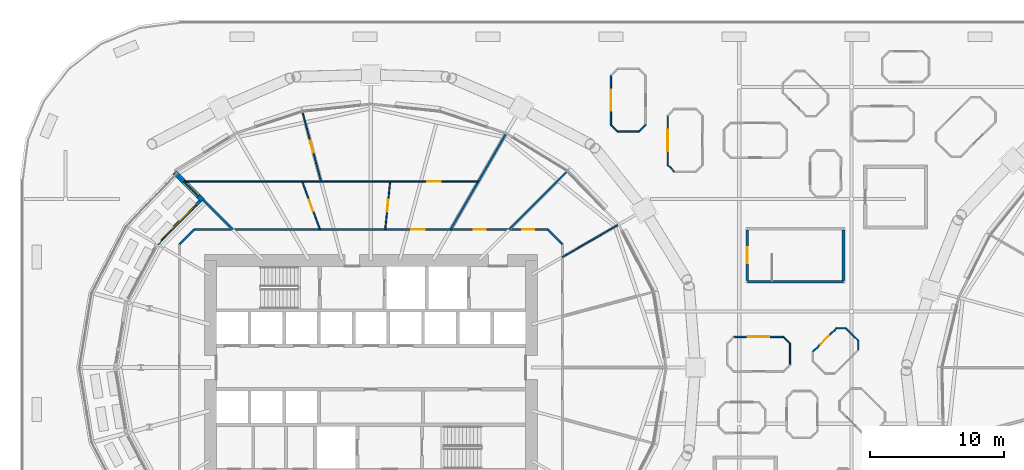
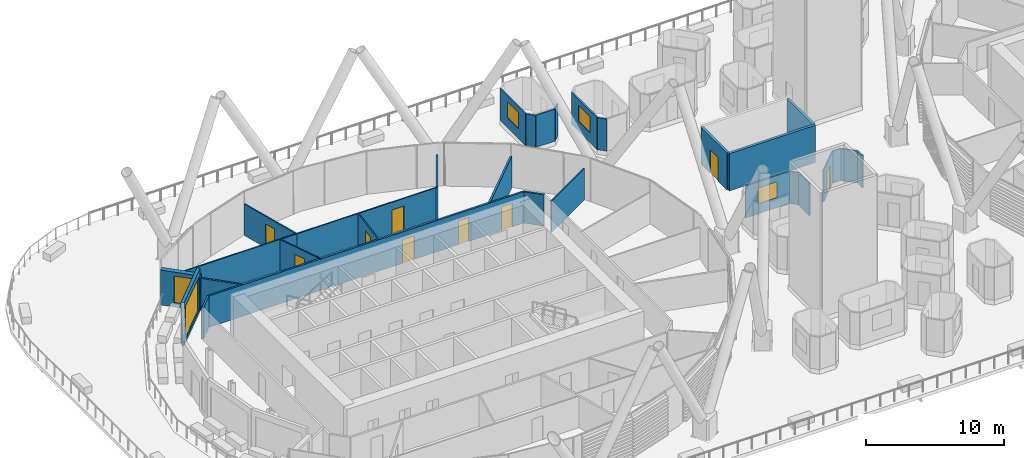
# One storey, part 28 of 47: 30 walls, 9 doors, 5 windows, 14 openings.
"""IFC4 building model written with IfcOpenShell, lengths in metres."""

from ifc_helpers import new_model, si_unit, direction, frame, frame_2d, origin, place, context, subcontext, project, spatial, rectangle, extrude, material, layer, layer_set, type_object, element, fill, save


model = new_model("IFC4")

# Units and contexts
model_context = context("Model", 3, precision=1e-05, world=origin(), true_north=direction((0.0, 1.0)))
body_context = subcontext(model_context, "Body", "Model", "MODEL_VIEW")
ifc_project = project(units=[si_unit("LENGTHUNIT", "METRE"), si_unit("AREAUNIT", "SQUARE_METRE"), si_unit("VOLUMEUNIT", "CUBIC_METRE"), si_unit("PLANEANGLEUNIT", "RADIAN"), si_unit("MASSUNIT", "GRAM", prefix="KILO")], contexts=[model_context])

# Site, building, storey
site_placement = place(None, origin())
site = spatial("IfcSite", under=ifc_project, at=site_placement, CompositionType="ELEMENT")
building_placement = place(site_placement, origin())
building = spatial("IfcBuilding", under=site, at=building_placement, Name="Rimbun Link Towers", CompositionType="ELEMENT")
storey_placement = place(building_placement, frame((0.0, 0.0, 30.0)))
storey = spatial("IfcBuildingStorey", under=building, at=storey_placement, Name="L06", CompositionType="ELEMENT", Elevation=30.0)

# Wall, opening, door
ifc_material_1 = material(Name="Terracotta-faced insulated sandwich panel", Category="masonry")
ifc_layer_1 = layer(ifc_material_1, 0.10009765625)
ifc_layer_set_1 = layer_set([ifc_layer_1], Name="CAPSULE entrance panel 100")
wall_type_1 = type_object("IfcWallType", Name="CAPSULE entrance panel 100", PredefinedType="STANDARD", material=ifc_layer_set_1)
wall_1_placement = place(storey_placement, frame((3.07080078125, 2.947021484375, 0.409912109375), z_axis=(0.0, 0.0, 1.0), x_axis=(-0.707106781187, -0.707106781187, 0.0)))
wall_1 = element("IfcWall", 1, at=wall_1_placement, inside=storey, type_object=wall_type_1, Name="CAPSULE P07 shell panel 3", PredefinedType="STANDARD", context=body_context, shape_type="SweptSolid", body=[
    extrude(rectangle(XDim=2.5, YDim=0.10009765625, at=frame_2d((1.25, 0.0))), origin(), (0.0, 0.0, 1.0), 2.85009765625),
])
opening_1_placement = place(wall_1_placement, frame((0.800048828125, 0.0, 0.0)))
opening_1 = element("IfcOpeningElement", 2, at=opening_1_placement, cuts=wall_1, Name="Opening CD06.07", PredefinedType="OPENING", context=body_context, shape_type="SweptSolid", body=[
    extrude(rectangle(XDim=0.89990234375, YDim=2.10009765625, at=frame_2d((0.449951171875, 1.050048828125))), frame((0.0, 0.06005859375, 0.0), z_axis=(0.0, -1.0, 0.0), x_axis=(1.0, 0.0, 0.0)), (0.0, 0.0, 1.0), 0.1201171875),
])
ifc_material_2 = material(Name="Aluminium framed insulated door leaf", Category="aluminium")
door_type_1 = type_object("IfcDoorType", Name="CAPSULE door single leaf 900X2100", OperationType="SINGLE_SWING_LEFT", PredefinedType="DOOR", material=ifc_material_2)
door_1_placement = place(opening_1_placement, origin())
door_1 = element("IfcDoor", 3, at=door_1_placement, inside=storey, type_object=door_type_1, Name="CAPSULE P07 door", OperationType="SINGLE_SWING_LEFT", OverallHeight=2.10009765625, OverallWidth=0.89990234375, PredefinedType="DOOR", context=body_context, shape_type="SweptSolid", body=[
    extrude(rectangle(XDim=0.89990234375, YDim=2.10009765625, at=frame_2d((0.449951171875, 1.050048828125))), frame((0.0, 0.02490234375, 0.0), z_axis=(0.0, -1.0, 0.0), x_axis=(1.0, 0.0, 0.0)), (0.0, 0.0, 1.0), 0.050048828125),
])
fill(opening_1, door_1)

# Walls
ifc_material_3 = material(Name="Terracotta-faced insulated sandwich panel", Category="masonry")
ifc_layer_2 = layer(ifc_material_3, 0.10009765625)
ifc_layer_set_2 = layer_set([ifc_layer_2], Name="CAPSULE shell panel 100")
wall_type_2 = type_object("IfcWallType", Name="CAPSULE shell panel 100", PredefinedType="STANDARD", material=ifc_layer_set_2)
wall_2_placement = place(storey_placement, frame((-0.39990234375, 0.199951171875, 0.409912109375), z_axis=(0.0, 0.0, 1.0), x_axis=(0.0, 1.0, 0.0)))
element("IfcWall", 4, at=wall_2_placement, inside=storey, type_object=wall_type_2, Name="CAPSULE P05 shell panel 1", PredefinedType="STANDARD", context=body_context, shape_type="SweptSolid", body=[
    extrude(rectangle(XDim=1.60009765625, YDim=0.10009765625, at=frame_2d((0.800048828125, 0.0))), origin(), (0.0, 0.0, 1.0), 2.85009765625),
])
wall_3_placement = place(storey_placement, frame((-0.39990234375, 1.800048828125, 0.409912109375), z_axis=(0.0, 0.0, 1.0), x_axis=(-0.707106781187, 0.707106781187, 0.0)))
element("IfcWall", 5, at=wall_3_placement, inside=storey, type_object=wall_type_2, Name="CAPSULE P05 shell panel 2", PredefinedType="STANDARD", context=body_context, shape_type="SweptSolid", body=[
    extrude(rectangle(XDim=0.70703125, YDim=0.10009765625, at=frame_2d((0.353515625, 0.0))), origin(), (0.0, 0.0, 1.0), 2.85009765625),
])

# Wall, opening, window
wall_4_placement = place(storey_placement, frame((-0.89990234375, 2.300048828125, 0.409912109375), z_axis=(0.0, 0.0, 1.0), x_axis=(-1.0, 0.0, 0.0)))
wall_4 = element("IfcWall", 6, at=wall_4_placement, inside=storey, type_object=wall_type_2, Name="CAPSULE P05 shell panel 3", PredefinedType="STANDARD", context=body_context, shape_type="SweptSolid", body=[
    extrude(rectangle(XDim=3.7001953125, YDim=0.10009765625, at=frame_2d((1.85009765625, 0.0))), origin(), (0.0, 0.0, 1.0), 2.85009765625),
])
opening_2_placement = place(wall_4_placement, frame((1.050048828125, 0.0, 0.89990234375)))
opening_2 = element("IfcOpeningElement", 7, at=opening_2_placement, cuts=wall_4, Name="Opening CN06.05", PredefinedType="OPENING", context=body_context, shape_type="SweptSolid", body=[
    extrude(rectangle(XDim=1.60009765625, YDim=1.39990234375, at=frame_2d((0.800048828125, 0.699951171875))), frame((0.0, 0.06005859375, 0.0), z_axis=(0.0, -1.0, 0.0), x_axis=(1.0, 0.0, 0.0)), (0.0, 0.0, 1.0), 0.1201171875),
])
ifc_material_4 = material(Name="Aluminium framed window, low-iron glass", Category="aluminium")
window_type_1 = type_object("IfcWindowType", Name="CAPSULE window 1600X1400", PartitioningType="SINGLE_PANEL", PredefinedType="WINDOW", material=ifc_material_4)
window_1_placement = place(opening_2_placement, origin())
window_1 = element("IfcWindow", 8, at=window_1_placement, inside=storey, type_object=window_type_1, Name="CAPSULE P05 window", OverallHeight=1.39990234375, OverallWidth=1.60009765625, PartitioningType="SINGLE_PANEL", PredefinedType="WINDOW", context=body_context, shape_type="SweptSolid", body=[
    extrude(rectangle(XDim=1.60009765625, YDim=1.39990234375, at=frame_2d((0.800048828125, 0.699951171875))), frame((0.0, 0.030029296875, 0.0), z_axis=(0.0, -1.0, 0.0), x_axis=(1.0, 0.0, 0.0)), (0.0, 0.0, 1.0), 0.06005859375),
])
fill(opening_2, window_1)

# Walls
wall_5_placement = place(storey_placement, frame((4.697021484375, 2.02783203125, 0.409912109375), z_axis=(0.0, 0.0, 1.0), x_axis=(-0.707106781187, 0.707106781187, 0.0)))
element("IfcWall", 9, at=wall_5_placement, inside=storey, type_object=wall_type_2, Name="CAPSULE P07 shell panel 1", PredefinedType="STANDARD", context=body_context, shape_type="SweptSolid", body=[
    extrude(rectangle(XDim=1.300048828125, YDim=0.10009765625, at=frame_2d((0.64990234375, 0.0))), origin(), (0.0, 0.0, 1.0), 2.85009765625),
])
for number, where, z_axis, x_axis, name in (
    (10, (3.77783203125, 2.947021484375, 0.409912109375), (0.0, 0.0, 1.0), (-1.0, 0.0, 0.0), "CAPSULE P07 shell panel 2"),
    (11, (4.697021484375, 1.32080078125, 0.409912109375), (0.0, 0.0, 1.0), (0.0, 1.0, 0.0), "CAPSULE P07 shell panel 8"),
):
    element("IfcWall", number, at=place(storey_placement, frame(where, z_axis=z_axis, x_axis=x_axis)), inside=storey, type_object=wall_type_2, Name=name, PredefinedType="STANDARD", context=body_context, shape_type="SweptSolid", body=[
        extrude(rectangle(XDim=0.70703125, YDim=0.10009765625, at=frame_2d((0.353515625, 0.0))), origin(), (0.0, 0.0, 1.0), 2.85009765625),
    ])

# Wall, opening, window
wall_6_placement = place(storey_placement, frame((-9.550048828125, 18.85009765625, 0.409912109375), z_axis=(0.0, 0.0, 1.0), x_axis=(0.0, -1.0, 0.0)))
wall_6 = element("IfcWall", 12, at=wall_6_placement, inside=storey, type_object=wall_type_2, Name="CAPSULE P10 shell panel 3", PredefinedType="STANDARD", context=body_context, shape_type="SweptSolid", body=[
    extrude(rectangle(XDim=3.7001953125, YDim=0.10009765625, at=frame_2d((1.85009765625, 0.0))), origin(), (0.0, 0.0, 1.0), 2.85009765625),
])
opening_3_placement = place(wall_6_placement, frame((1.050048828125, 0.0, 0.89990234375)))
opening_3 = element("IfcOpeningElement", 13, at=opening_3_placement, cuts=wall_6, Name="Opening CN06.10", PredefinedType="OPENING", context=body_context, shape_type="SweptSolid", body=[
    extrude(rectangle(XDim=1.60009765625, YDim=1.39990234375, at=frame_2d((0.800048828125, 0.699951171875))), frame((0.0, 0.06005859375, 0.0), z_axis=(0.0, -1.0, 0.0), x_axis=(1.0, 0.0, 0.0)), (0.0, 0.0, 1.0), 0.1201171875),
])
window_2_placement = place(opening_3_placement, origin())
window_2 = element("IfcWindow", 14, at=window_2_placement, inside=storey, type_object=window_type_1, Name="CAPSULE P10 window", OverallHeight=1.39990234375, OverallWidth=1.60009765625, PartitioningType="SINGLE_PANEL", PredefinedType="WINDOW", context=body_context, shape_type="SweptSolid", body=[
    extrude(rectangle(XDim=1.60009765625, YDim=1.39990234375, at=frame_2d((0.800048828125, 0.699951171875))), frame((0.0, 0.030029296875, 0.0), z_axis=(0.0, -1.0, 0.0), x_axis=(1.0, 0.0, 0.0)), (0.0, 0.0, 1.0), 0.06005859375),
])
fill(opening_3, window_2)

# Wall
wall_7_placement = place(storey_placement, frame((-9.550048828125, 15.14990234375, 0.409912109375), z_axis=(0.0, 0.0, 1.0), x_axis=(0.707106781187, -0.707106781187, 0.0)))
element("IfcWall", 15, at=wall_7_placement, inside=storey, type_object=wall_type_2, Name="CAPSULE P10 shell panel 4", PredefinedType="STANDARD", context=body_context, shape_type="SweptSolid", body=[
    extrude(rectangle(XDim=0.70703125, YDim=0.10009765625, at=frame_2d((0.353515625, 0.0))), origin(), (0.0, 0.0, 1.0), 2.85009765625),
])

# Wall, opening, window
wall_8_placement = place(storey_placement, frame((-13.800048828125, 21.85009765625, 0.409912109375), z_axis=(0.0, 0.0, 1.0), x_axis=(0.0, -1.0, 0.0)))
wall_8 = element("IfcWall", 16, at=wall_8_placement, inside=storey, type_object=wall_type_2, Name="CAPSULE P18 shell panel 3", PredefinedType="STANDARD", context=body_context, shape_type="SweptSolid", body=[
    extrude(rectangle(XDim=3.7001953125, YDim=0.10009765625, at=frame_2d((1.85009765625, 0.0))), origin(), (0.0, 0.0, 1.0), 2.85009765625),
])
opening_4_placement = place(wall_8_placement, frame((1.050048828125, 0.0, 0.89990234375)))
opening_4 = element("IfcOpeningElement", 17, at=opening_4_placement, cuts=wall_8, Name="Opening CN06.18", PredefinedType="OPENING", context=body_context, shape_type="SweptSolid", body=[
    extrude(rectangle(XDim=1.60009765625, YDim=1.39990234375, at=frame_2d((0.800048828125, 0.699951171875))), frame((0.0, 0.06005859375, 0.0), z_axis=(0.0, -1.0, 0.0), x_axis=(1.0, 0.0, 0.0)), (0.0, 0.0, 1.0), 0.1201171875),
])
window_3_placement = place(opening_4_placement, origin())
window_3 = element("IfcWindow", 18, at=window_3_placement, inside=storey, type_object=window_type_1, Name="CAPSULE P18 window", OverallHeight=1.39990234375, OverallWidth=1.60009765625, PartitioningType="SINGLE_PANEL", PredefinedType="WINDOW", context=body_context, shape_type="SweptSolid", body=[
    extrude(rectangle(XDim=1.60009765625, YDim=1.39990234375, at=frame_2d((0.800048828125, 0.699951171875))), frame((0.0, 0.030029296875, 0.0), z_axis=(0.0, -1.0, 0.0), x_axis=(1.0, 0.0, 0.0)), (0.0, 0.0, 1.0), 0.06005859375),
])
fill(opening_4, window_3)

# Walls
wall_9_placement = place(storey_placement, frame((-13.800048828125, 18.14990234375, 0.409912109375), z_axis=(0.0, 0.0, 1.0), x_axis=(0.707106781187, -0.707106781187, 0.0)))
element("IfcWall", 19, at=wall_9_placement, inside=storey, type_object=wall_type_2, Name="CAPSULE P18 shell panel 4", PredefinedType="STANDARD", context=body_context, shape_type="SweptSolid", body=[
    extrude(rectangle(XDim=0.70703125, YDim=0.10009765625, at=frame_2d((0.353515625, 0.0))), origin(), (0.0, 0.0, 1.0), 2.85009765625),
])
wall_10_placement = place(storey_placement, frame((-13.300048828125, 17.64990234375, 0.409912109375), z_axis=(0.0, 0.0, 1.0), x_axis=(1.0, 0.0, 0.0)))
element("IfcWall", 20, at=wall_10_placement, inside=storey, type_object=wall_type_2, Name="CAPSULE P18 shell panel 5", PredefinedType="STANDARD", context=body_context, shape_type="SweptSolid", body=[
    extrude(rectangle(XDim=1.60009765625, YDim=0.10009765625, at=frame_2d((0.800048828125, 0.0))), origin(), (0.0, 0.0, 1.0), 2.85009765625),
])
wall_11_placement = place(storey_placement, frame((-11.699951171875, 17.64990234375, 0.409912109375), z_axis=(0.0, 0.0, 1.0), x_axis=(0.707106781187, 0.707106781187, 0.0)))
element("IfcWall", 21, at=wall_11_placement, inside=storey, type_object=wall_type_2, Name="CAPSULE P18 shell panel 6", PredefinedType="STANDARD", context=body_context, shape_type="SweptSolid", body=[
    extrude(rectangle(XDim=0.70703125, YDim=0.10009765625, at=frame_2d((0.353515625, 0.0))), origin(), (0.0, 0.0, 1.0), 2.85009765625),
])

# Wall, opening, window
ifc_material_5 = material(Name="Dark enamelled glass spandrel on insulated aluminium backpan", Category="aluminium")
ifc_layer_3 = layer(ifc_material_5, 0.25)
ifc_layer_set_3 = layer_set([ifc_layer_3], Name="CS dark enamelled spandrel wall 250")
wall_type_3 = type_object("IfcWallType", Name="CS dark enamelled spandrel wall 250", PredefinedType="STANDARD", material=ifc_layer_set_3)
wall_12_placement = place(storey_placement, frame((-47.73828125, 9.247314453125, 0.0), z_axis=(0.0, 0.0, 1.0), x_axis=(0.704968436266, 0.709238679056, 0.0)))
wall_12 = element("IfcWall", 22, at=wall_12_placement, inside=storey, type_object=wall_type_3, Name="Crease spandrel wall", PredefinedType="STANDARD", context=body_context, shape_type="SweptSolid", body=[
    extrude(rectangle(XDim=4.5166015625, YDim=0.25, at=frame_2d((2.25830078125, 0.0))), origin(), (0.0, 0.0, 1.0), 3.800048828125),
])
opening_5_placement = place(wall_12_placement, frame((0.38330078125, 0.0, 0.300048828125)))
opening_5 = element("IfcOpeningElement", 23, at=opening_5_placement, cuts=wall_12, Name="Opening WR38H295", PredefinedType="OPENING", context=body_context, shape_type="SweptSolid", body=[
    extrude(rectangle(XDim=3.75, YDim=2.949951171875, at=frame_2d((1.875, 1.47509765625))), frame((0.0, 0.135009765625, 0.0), z_axis=(0.0, -1.0, 0.0), x_axis=(1.0, 0.0, 0.0)), (0.0, 0.0, 1.0), 0.27001953125),
])
ifc_material_6 = material(Name="Aluminium framed fixed window, dark tinted low-e glass", Category="aluminium")
window_type_2 = type_object("IfcWindowType", Name="WR ribbon window 3750X2950", PartitioningType="SINGLE_PANEL", PredefinedType="WINDOW", material=ifc_material_6)
window_4_placement = place(opening_5_placement, origin())
window_4 = element("IfcWindow", 24, at=window_4_placement, inside=storey, type_object=window_type_2, Name="Crease ribbon window", OverallHeight=2.949951171875, OverallWidth=3.75, PartitioningType="SINGLE_PANEL", PredefinedType="WINDOW", context=body_context, shape_type="SweptSolid", body=[
    extrude(rectangle(XDim=3.75, YDim=2.949951171875, at=frame_2d((1.875, 1.47509765625))), frame((0.0, 0.030029296875, 0.0), z_axis=(0.0, -1.0, 0.0), x_axis=(1.0, 0.0, 0.0)), (0.0, 0.0, 1.0), 0.06005859375),
])
fill(opening_5, window_4)

ifc_material_7 = material(Name="Dark enamelled glass spandrel on insulated aluminium backpan", Category="aluminium")
ifc_layer_4 = layer(ifc_material_7, 0.3701171875)
ifc_layer_set_4 = layer_set([ifc_layer_4], Name="CS dark enamelled spandrel wall 370")
wall_type_4 = type_object("IfcWallType", Name="CS dark enamelled spandrel wall 370", PredefinedType="STANDARD", material=ifc_layer_set_4)
wall_13_placement = place(storey_placement, frame((-44.33544921875, 12.49365234375, 0.0), z_axis=(0.0, 0.0, 1.0), x_axis=(-0.707147745574, 0.707065814425, 0.0)))
wall_13 = element("IfcWall", 25, at=wall_13_placement, inside=storey, type_object=wall_type_4, Name="Crease spandrel wall", PredefinedType="STANDARD", context=body_context, shape_type="SweptSolid", body=[
    extrude(rectangle(XDim=2.979736328125, YDim=0.3701171875, at=frame_2d((1.48974609375, 0.0))), origin(), (0.0, 0.0, 1.0), 3.0966796875),
])
opening_6_placement = place(wall_13_placement, frame((0.477294921875, 0.0, 0.300048828125)))
opening_6 = element("IfcOpeningElement", 26, at=opening_6_placement, cuts=wall_13, Name="Opening WR15H245", PredefinedType="OPENING", context=body_context, shape_type="SweptSolid", body=[
    extrude(rectangle(XDim=1.5, YDim=2.449951171875, at=frame_2d((0.75, 1.22509765625))), frame((0.0, 0.195068359375, 0.0), z_axis=(0.0, -1.0, 0.0), x_axis=(1.0, 0.0, 0.0)), (0.0, 0.0, 1.0), 0.39013671875),
])
ifc_material_8 = material(Name="Aluminium framed fixed window, dark tinted low-e glass", Category="aluminium")
window_type_3 = type_object("IfcWindowType", Name="WR ribbon window 1500X2450", PartitioningType="SINGLE_PANEL", PredefinedType="WINDOW", material=ifc_material_8)
window_5_placement = place(opening_6_placement, origin())
window_5 = element("IfcWindow", 27, at=window_5_placement, inside=storey, type_object=window_type_3, Name="Crease ribbon window", OverallHeight=2.449951171875, OverallWidth=1.5, PartitioningType="SINGLE_PANEL", PredefinedType="WINDOW", context=body_context, shape_type="SweptSolid", body=[
    extrude(rectangle(XDim=1.5, YDim=2.449951171875, at=frame_2d((0.75, 1.22509765625))), frame((0.0, 0.030029296875, 0.0), z_axis=(0.0, -1.0, 0.0), x_axis=(1.0, 0.0, 0.0)), (0.0, 0.0, 1.0), 0.06005859375),
])
fill(opening_6, window_5)

# Wall, openings, doors
ifc_material_9 = material(Name="Plasterboard on steel stud, mineral wool", Category="steel")
ifc_layer_5 = layer(ifc_material_9, 0.14990234375)
ifc_layer_set_5 = layer_set([ifc_layer_5], Name="Corridor wall EI 30 150 mm")
wall_type_5 = type_object("IfcWallType", Name="Corridor wall EI 30 150 mm", PredefinedType="PARTITIONING", material=ifc_layer_set_5)
wall_14_placement = place(storey_placement, frame((-44.976806640625, 10.324951171875, 0.0), z_axis=(0.0, 0.0, 1.0), x_axis=(1.0, 0.0, 0.0)))
wall_14 = element("IfcWall", 28, at=wall_14_placement, inside=storey, type_object=wall_type_5, Name="Corridor wall EI 30 150 mm", PredefinedType="PARTITIONING", context=body_context, shape_type="SweptSolid", body=[
    extrude(rectangle(XDim=26.45361328125, YDim=0.14990234375, at=frame_2d((13.226806640625, 0.0))), origin(), (0.0, 0.0, 1.0), 2.779052734375),
])
opening_7_placement = place(wall_14_placement, frame((24.552490234375, 0.0, 0.0)))
opening_7 = element("IfcOpeningElement", 29, at=opening_7_placement, cuts=wall_14, Name="Opening D02", PredefinedType="OPENING", context=body_context, shape_type="SweptSolid", body=[
    extrude(rectangle(XDim=0.89990234375, YDim=2.10009765625, at=frame_2d((0.449951171875, 1.050048828125))), frame((0.0, 0.0849609375, 0.0), z_axis=(0.0, -1.0, 0.0), x_axis=(1.0, 0.0, 0.0)), (0.0, 0.0, 1.0), 0.169921875),
])
opening_8_placement = place(wall_14_placement, frame((20.919921875, 0.0, 0.0)))
opening_8 = element("IfcOpeningElement", 30, at=opening_8_placement, cuts=wall_14, Name="Opening D02", PredefinedType="OPENING", context=body_context, shape_type="SweptSolid", body=[
    extrude(rectangle(XDim=0.89990234375, YDim=2.10009765625, at=frame_2d((0.449951171875, 1.050048828125))), frame((0.0, 0.0849609375, 0.0), z_axis=(0.0, -1.0, 0.0), x_axis=(1.0, 0.0, 0.0)), (0.0, 0.0, 1.0), 0.169921875),
])
opening_9_placement = place(wall_14_placement, frame((16.2412109375, 0.0, 0.0)))
opening_9 = element("IfcOpeningElement", 31, at=opening_9_placement, cuts=wall_14, Name="Opening D01", PredefinedType="OPENING", context=body_context, shape_type="SweptSolid", body=[
    extrude(rectangle(XDim=1.0, YDim=2.10009765625, at=frame_2d((0.5, 1.050048828125))), frame((0.0, 0.0849609375, 0.0), z_axis=(0.0, -1.0, 0.0), x_axis=(1.0, 0.0, 0.0)), (0.0, 0.0, 1.0), 0.169921875),
])
ifc_material_10 = material(Name="Fire-resisting timber door leaf", Category="wood")
door_type_2 = type_object("IfcDoorType", Name="Fire door FD30S 1000", OperationType="NOTDEFINED", PredefinedType="DOOR", material=ifc_material_10)
door_2_placement = place(opening_9_placement, origin())
door_2 = element("IfcDoor", 32, at=door_2_placement, inside=storey, type_object=door_type_2, Name="Fire door FD30S 1000 to Reception", OperationType="SINGLE_SWING_RIGHT", OverallHeight=2.10009765625, OverallWidth=1.0, PredefinedType="DOOR", context=body_context, shape_type="SweptSolid", body=[
    extrude(rectangle(XDim=1.0, YDim=2.10009765625, at=frame_2d((0.5, 1.050048828125))), frame((0.0, 0.02490234375, 0.0), z_axis=(0.0, -1.0, 0.0), x_axis=(1.0, 0.0, 0.0)), (0.0, 0.0, 1.0), 0.050048828125),
])
fill(opening_9, door_2)
ifc_material_11 = material(Name="Fire-resisting timber door leaf", Category="wood")
door_type_3 = type_object("IfcDoorType", Name="Fire door FD30S 900", OperationType="NOTDEFINED", PredefinedType="DOOR", material=ifc_material_11)
door_3_placement = place(opening_7_placement, origin())
door_3 = element("IfcDoor", 33, at=door_3_placement, inside=storey, type_object=door_type_3, Name="Fire door FD30S 900 to Meeting room", OperationType="SINGLE_SWING_RIGHT", OverallHeight=2.10009765625, OverallWidth=0.89990234375, PredefinedType="DOOR", context=body_context, shape_type="SweptSolid", body=[
    extrude(rectangle(XDim=0.89990234375, YDim=2.10009765625, at=frame_2d((0.449951171875, 1.050048828125))), frame((0.0, 0.02490234375, 0.0), z_axis=(0.0, -1.0, 0.0), x_axis=(1.0, 0.0, 0.0)), (0.0, 0.0, 1.0), 0.050048828125),
])
fill(opening_7, door_3)
door_4_placement = place(opening_8_placement, origin())
door_4 = element("IfcDoor", 34, at=door_4_placement, inside=storey, type_object=door_type_3, Name="Fire door FD30S 900 to Print room", OperationType="SINGLE_SWING_LEFT", OverallHeight=2.10009765625, OverallWidth=0.89990234375, PredefinedType="DOOR", context=body_context, shape_type="SweptSolid", body=[
    extrude(rectangle(XDim=0.89990234375, YDim=2.10009765625, at=frame_2d((0.449951171875, 1.050048828125))), frame((0.0, 0.02490234375, 0.0), z_axis=(0.0, -1.0, 0.0), x_axis=(1.0, 0.0, 0.0)), (0.0, 0.0, 1.0), 0.050048828125),
])
fill(opening_8, door_4)

# Walls
for number, where, z_axis, x_axis, name in (
    (35, (-17.425048828125, 9.226806640625, 0.0), (0.0, 0.0, 1.0), (-0.707106781187, 0.707106781187, 0.0), "Corridor wall EI 30 150 mm"),
    (36, (-44.976806640625, 10.324951171875, 0.0), (0.0, 0.0, 1.0), (-0.707106781187, -0.707106781187, 0.0), "Corridor wall EI 30 150 mm"),
):
    element("IfcWall", number, at=place(storey_placement, frame(where, z_axis=z_axis, x_axis=x_axis)), inside=storey, type_object=wall_type_5, Name=name, PredefinedType="PARTITIONING", context=body_context, shape_type="SweptSolid", body=[
        extrude(rectangle(XDim=1.552978515625, YDim=0.14990234375, at=frame_2d((0.7763671875, 0.0))), origin(), (0.0, 0.0, 1.0), 2.779052734375),
    ])
ifc_material_12 = material(Name="Plasterboard on steel stud", Category="steel")
ifc_layer_6 = layer(ifc_material_12, 0.10009765625)
ifc_layer_set_6 = layer_set([ifc_layer_6], Name="Plasterboard partition 100 mm")
wall_type_6 = type_object("IfcWallType", Name="Plasterboard partition 100 mm", PredefinedType="PARTITIONING", material=ifc_layer_set_6)
wall_15_placement = place(storey_placement, frame((-13.26513671875, 10.672119140625, 0.0), z_axis=(0.0, 0.0, 1.0), x_axis=(-0.866035774857, -0.499982036344, 0.0)))
element("IfcWall", 37, at=wall_15_placement, inside=storey, type_object=wall_type_6, Name="Plasterboard partition 100 mm", PredefinedType="PARTITIONING", context=body_context, shape_type="SweptSolid", body=[
    extrude(rectangle(XDim=4.803466796875, YDim=0.10009765625, at=frame_2d((2.40185546875, 0.0))), origin(), (0.0, 0.0, 1.0), 2.779052734375),
])

# Wall, opening, door
wall_16_placement = place(storey_placement, frame((-30.682373046875, 10.324951171875, 0.0), z_axis=(0.0, 0.0, 1.0), x_axis=(0.102869232658, 0.994694888381, 0.0)))
wall_16 = element("IfcWall", 38, at=wall_16_placement, inside=storey, type_object=wall_type_6, Name="Plasterboard partition 100 mm", PredefinedType="PARTITIONING", context=body_context, shape_type="SweptSolid", body=[
    extrude(rectangle(XDim=3.619384765625, YDim=0.10009765625, at=frame_2d((1.8095703125, 0.0))), origin(), (0.0, 0.0, 1.0), 2.779052734375),
])
opening_10_placement = place(wall_16_placement, frame((1.359619140625, 0.0, 0.0)))
opening_10 = element("IfcOpeningElement", 39, at=opening_10_placement, cuts=wall_16, Name="Opening D04", PredefinedType="OPENING", context=body_context, shape_type="SweptSolid", body=[
    extrude(rectangle(XDim=0.89990234375, YDim=2.10009765625, at=frame_2d((0.449951171875, 1.050048828125))), frame((0.0, 0.06005859375, 0.0), z_axis=(0.0, -1.0, 0.0), x_axis=(1.0, 0.0, 0.0)), (0.0, 0.0, 1.0), 0.1201171875),
])
ifc_material_13 = material(Name="Timber door leaf", Category="wood")
door_type_4 = type_object("IfcDoorType", Name="Flush door 900", OperationType="NOTDEFINED", PredefinedType="DOOR", material=ifc_material_13)
door_5_placement = place(opening_10_placement, origin())
door_5 = element("IfcDoor", 40, at=door_5_placement, inside=storey, type_object=door_type_4, Name="Flush door 900 to Meeting room", OperationType="SINGLE_SWING_RIGHT", OverallHeight=2.10009765625, OverallWidth=0.89990234375, PredefinedType="DOOR", context=body_context, shape_type="SweptSolid", body=[
    extrude(rectangle(XDim=0.89990234375, YDim=2.10009765625, at=frame_2d((0.449951171875, 1.050048828125))), frame((0.0, 0.02490234375, 0.0), z_axis=(0.0, -1.0, 0.0), x_axis=(1.0, 0.0, 0.0)), (0.0, 0.0, 1.0), 0.050048828125),
])
fill(opening_10, door_5)

wall_17_placement = place(storey_placement, frame((-35.481201171875, 13.925048828125, 0.0), z_axis=(0.0, 0.0, 1.0), x_axis=(1.0, 0.0, 0.0)))
wall_17 = element("IfcWall", 41, at=wall_17_placement, inside=storey, type_object=wall_type_6, Name="Plasterboard partition 100 mm", PredefinedType="PARTITIONING", context=body_context, shape_type="SweptSolid", body=[
    extrude(rectangle(XDim=11.770751953125, YDim=0.10009765625, at=frame_2d((5.88525390625, 0.0))), origin(), (0.0, 0.0, 1.0), 2.779052734375),
])
opening_11_placement = place(wall_17_placement, frame((7.955810546875, 0.0, 0.0)))
opening_11 = element("IfcOpeningElement", 42, at=opening_11_placement, cuts=wall_17, Name="Opening D03", PredefinedType="OPENING", context=body_context, shape_type="SweptSolid", body=[
    extrude(rectangle(XDim=1.0, YDim=2.10009765625, at=frame_2d((0.5, 1.050048828125))), frame((0.0, 0.06005859375, 0.0), z_axis=(0.0, -1.0, 0.0), x_axis=(1.0, 0.0, 0.0)), (0.0, 0.0, 1.0), 0.1201171875),
])
ifc_material_14 = material(Name="Timber door leaf", Category="wood")
door_type_5 = type_object("IfcDoorType", Name="Flush door 1000", OperationType="NOTDEFINED", PredefinedType="DOOR", material=ifc_material_14)
door_6_placement = place(opening_11_placement, origin())
door_6 = element("IfcDoor", 43, at=door_6_placement, inside=storey, type_object=door_type_5, Name="Flush door 1000 to Co-working space", OperationType="SINGLE_SWING_LEFT", OverallHeight=2.10009765625, OverallWidth=1.0, PredefinedType="DOOR", context=body_context, shape_type="SweptSolid", body=[
    extrude(rectangle(XDim=1.0, YDim=2.10009765625, at=frame_2d((0.5, 1.050048828125))), frame((0.0, 0.02490234375, 0.0), z_axis=(0.0, -1.0, 0.0), x_axis=(1.0, 0.0, 0.0)), (0.0, 0.0, 1.0), 0.050048828125),
])
fill(opening_11, door_6)

wall_18_placement = place(storey_placement, frame((-35.561279296875, 10.324951171875, 0.0), z_axis=(0.0, 0.0, 1.0), x_axis=(-0.346280195753, 0.938131134773, 0.0)))
wall_18 = element("IfcWall", 44, at=wall_18_placement, inside=storey, type_object=wall_type_6, Name="Plasterboard partition 100 mm", PredefinedType="PARTITIONING", context=body_context, shape_type="SweptSolid", body=[
    extrude(rectangle(XDim=3.83740234375, YDim=0.10009765625, at=frame_2d((1.918701171875, 0.0))), origin(), (0.0, 0.0, 1.0), 2.779052734375),
])
opening_12_placement = place(wall_18_placement, frame((1.46875, 0.0, 0.0)))
opening_12 = element("IfcOpeningElement", 45, at=opening_12_placement, cuts=wall_18, Name="Opening D04", PredefinedType="OPENING", context=body_context, shape_type="SweptSolid", body=[
    extrude(rectangle(XDim=0.89990234375, YDim=2.10009765625, at=frame_2d((0.449951171875, 1.050048828125))), frame((0.0, 0.06005859375, 0.0), z_axis=(0.0, -1.0, 0.0), x_axis=(1.0, 0.0, 0.0)), (0.0, 0.0, 1.0), 0.1201171875),
])
door_7_placement = place(opening_12_placement, origin())
door_7 = element("IfcDoor", 46, at=door_7_placement, inside=storey, type_object=door_type_4, Name="Flush door 900 to Pantry", OperationType="SINGLE_SWING_RIGHT", OverallHeight=2.10009765625, OverallWidth=0.89990234375, PredefinedType="DOOR", context=body_context, shape_type="SweptSolid", body=[
    extrude(rectangle(XDim=0.89990234375, YDim=2.10009765625, at=frame_2d((0.449951171875, 1.050048828125))), frame((0.0, 0.02490234375, 0.0), z_axis=(0.0, -1.0, 0.0), x_axis=(1.0, 0.0, 0.0)), (0.0, 0.0, 1.0), 0.050048828125),
])
fill(opening_12, door_7)

# Wall
wall_19_placement = place(storey_placement, frame((-35.481201171875, 13.925048828125, 0.0), z_axis=(0.0, 0.0, 1.0), x_axis=(-1.0, 0.0, 0.0)))
element("IfcWall", 47, at=wall_19_placement, inside=storey, type_object=wall_type_6, Name="Plasterboard partition 100 mm", PredefinedType="PARTITIONING", context=body_context, shape_type="SweptSolid", body=[
    extrude(rectangle(XDim=10.19384765625, YDim=0.10009765625, at=frame_2d((5.096923828125, 0.0))), origin(), (0.0, 0.0, 1.0), 2.779052734375),
])

# Wall, opening, door
wall_20_placement = place(storey_placement, frame((-35.481201171875, 13.925048828125, 0.0), z_axis=(0.0, 0.0, 1.0), x_axis=(-0.258827694644, 0.96592350861, 0.0)))
wall_20 = element("IfcWall", 48, at=wall_20_placement, inside=storey, type_object=wall_type_6, Name="Plasterboard partition 100 mm", PredefinedType="PARTITIONING", context=body_context, shape_type="SweptSolid", body=[
    extrude(rectangle(XDim=5.372802734375, YDim=0.10009765625, at=frame_2d((2.6865234375, 0.0))), origin(), (0.0, 0.0, 1.0), 2.779052734375),
])
opening_13_placement = place(wall_20_placement, frame((2.236328125, 0.0, 0.0)))
opening_13 = element("IfcOpeningElement", 49, at=opening_13_placement, cuts=wall_20, Name="Opening D04", PredefinedType="OPENING", context=body_context, shape_type="SweptSolid", body=[
    extrude(rectangle(XDim=0.89990234375, YDim=2.10009765625, at=frame_2d((0.449951171875, 1.050048828125))), frame((0.0, 0.06005859375, 0.0), z_axis=(0.0, -1.0, 0.0), x_axis=(1.0, 0.0, 0.0)), (0.0, 0.0, 1.0), 0.1201171875),
])
door_8_placement = place(opening_13_placement, origin())
door_8 = element("IfcDoor", 50, at=door_8_placement, inside=storey, type_object=door_type_4, Name="Flush door 900 to Serviced office", OperationType="SINGLE_SWING_RIGHT", OverallHeight=2.10009765625, OverallWidth=0.89990234375, PredefinedType="DOOR", context=body_context, shape_type="SweptSolid", body=[
    extrude(rectangle(XDim=0.89990234375, YDim=2.10009765625, at=frame_2d((0.449951171875, 1.050048828125))), frame((0.0, 0.02490234375, 0.0), z_axis=(0.0, -1.0, 0.0), x_axis=(1.0, 0.0, 0.0)), (0.0, 0.0, 1.0), 0.050048828125),
])
fill(opening_13, door_8)

ifc_material_15 = material(Name="Concrete C40/50", Category="concrete")
ifc_layer_7 = layer(ifc_material_15, 0.199951171875)
ifc_layer_set_7 = layer_set([ifc_layer_7], Name="Stair shaft wall 200")
wall_type_7 = type_object("IfcWallType", Name="Stair shaft wall 200", PredefinedType="SOLIDWALL", material=ifc_layer_set_7)
wall_21_placement = place(storey_placement, frame((-3.60009765625, 6.52490234375, 0.0), z_axis=(0.0, 0.0, 1.0), x_axis=(0.0, 1.0, 0.0)))
wall_21 = element("IfcWall", 51, at=wall_21_placement, inside=storey, type_object=wall_type_7, Name="Stair head house wall", PredefinedType="SOLIDWALL", context=body_context, shape_type="SweptSolid", body=[
    extrude(rectangle(XDim=3.75, YDim=0.199951171875, at=frame_2d((1.875, 0.0))), origin(), (0.0, 0.0, 1.0), 3.300048828125),
])
opening_14_placement = place(wall_21_placement, frame((1.27490234375, 0.0, 0.0)))
opening_14 = element("IfcOpeningElement", 52, at=opening_14_placement, cuts=wall_21, Name="Opening PD DS4", PredefinedType="OPENING", context=body_context, shape_type="SweptSolid", body=[
    extrude(rectangle(XDim=1.199951171875, YDim=2.10009765625, at=frame_2d((0.60009765625, 1.050048828125))), frame((0.0, 0.10986328125, 0.0), z_axis=(0.0, -1.0, 0.0), x_axis=(1.0, 0.0, 0.0)), (0.0, 0.0, 1.0), 0.219970703125),
])
ifc_material_16 = material(Name="Steel fire door set", Category="steel")
door_type_6 = type_object("IfcDoorType", Name="Stair door", OperationType="SINGLE_SWING_LEFT", PredefinedType="DOOR", material=ifc_material_16)
door_9_placement = place(opening_14_placement, frame((1.199951171875, 0.0, 0.0), z_axis=(0.0, 0.0, 1.0), x_axis=(-1.0, 0.0, 0.0)))
door_9 = element("IfcDoor", 53, at=door_9_placement, inside=storey, type_object=door_type_6, Name="PD/DR/L06/S4", OperationType="SINGLE_SWING_LEFT", OverallHeight=2.10009765625, OverallWidth=1.199951171875, PredefinedType="DOOR", context=body_context, shape_type="SweptSolid", body=[
    extrude(rectangle(XDim=1.199951171875, YDim=2.10009765625, at=frame_2d((0.60009765625, 1.050048828125))), frame((0.0, 0.02490234375, 0.0), z_axis=(0.0, -1.0, 0.0), x_axis=(1.0, 0.0, 0.0)), (0.0, 0.0, 1.0), 0.050048828125),
])
fill(opening_14, door_9)

# Walls
wall_22_placement = place(storey_placement, frame((3.60009765625, 10.27490234375, 0.0), z_axis=(0.0, 0.0, 1.0), x_axis=(0.0, -1.0, 0.0)))
element("IfcWall", 54, at=wall_22_placement, inside=storey, type_object=wall_type_7, Name="Stair head house wall", PredefinedType="SOLIDWALL", context=body_context, shape_type="SweptSolid", body=[
    extrude(rectangle(XDim=3.75, YDim=0.199951171875, at=frame_2d((1.875, 0.0))), origin(), (0.0, 0.0, 1.0), 3.300048828125),
])
wall_23_placement = place(storey_placement, frame((-3.60009765625, 6.425048828125, 0.0), z_axis=(0.0, 0.0, 1.0), x_axis=(1.0, 0.0, 0.0)))
element("IfcWall", 55, at=wall_23_placement, inside=storey, type_object=wall_type_7, Name="Stair head house wall", PredefinedType="SOLIDWALL", context=body_context, shape_type="SweptSolid", body=[
    extrude(rectangle(XDim=7.2001953125, YDim=0.199951171875, at=frame_2d((3.60009765625, 0.0))), origin(), (0.0, 0.0, 1.0), 3.300048828125),
])
ifc_material_17 = material(Name="Plasterboard on steel stud, mineral wool", Category="steel")
ifc_layer_8 = layer(ifc_material_17, 0.14990234375)
ifc_layer_set_8 = layer_set([ifc_layer_8], Name="Tenancy separation wall EI 60 150 mm")
wall_type_8 = type_object("IfcWallType", Name="Tenancy separation wall EI 60 150 mm", PredefinedType="PARTITIONING", material=ifc_layer_set_8)
wall_24_placement = place(storey_placement, frame((-21.425048828125, 10.324951171875, 0.0), z_axis=(0.0, 0.0, 1.0), x_axis=(0.707106781187, 0.707106781187, 0.0)))
element("IfcWall", 56, at=wall_24_placement, inside=storey, type_object=wall_type_8, Name="Tenancy separation wall EI 60 150 mm", PredefinedType="PARTITIONING", context=body_context, shape_type="SweptSolid", body=[
    extrude(rectangle(XDim=6.1318359375, YDim=0.14990234375, at=frame_2d((3.06591796875, 0.0))), origin(), (0.0, 0.0, 1.0), 2.779052734375),
])
wall_25_placement = place(storey_placement, frame((-25.788818359375, 10.324951171875, 0.0), z_axis=(0.0, 0.0, 1.0), x_axis=(0.500009360108, 0.866019999656, 0.0)))
element("IfcWall", 57, at=wall_25_placement, inside=storey, type_object=wall_type_8, Name="Tenancy separation wall EI 60 150 mm", PredefinedType="PARTITIONING", context=body_context, shape_type="SweptSolid", body=[
    extrude(rectangle(XDim=8.249755859375, YDim=0.14990234375, at=frame_2d((4.125, 0.0))), origin(), (0.0, 0.0, 1.0), 2.779052734375),
])
wall_26_placement = place(storey_placement, frame((-42.074951171875, 10.324951171875, 0.0), z_axis=(0.0, 0.0, 1.0), x_axis=(-0.707106781187, 0.707106781187, 0.0)))
element("IfcWall", 58, at=wall_26_placement, inside=storey, type_object=wall_type_8, Name="Tenancy separation wall EI 60 150 mm", PredefinedType="PARTITIONING", context=body_context, shape_type="SweptSolid", body=[
    extrude(rectangle(XDim=3.1318359375, YDim=0.14990234375, at=frame_2d((1.56591796875, 0.0))), origin(), (0.0, 0.0, 1.0), 2.779052734375),
])

save(model, "model.ifc")
